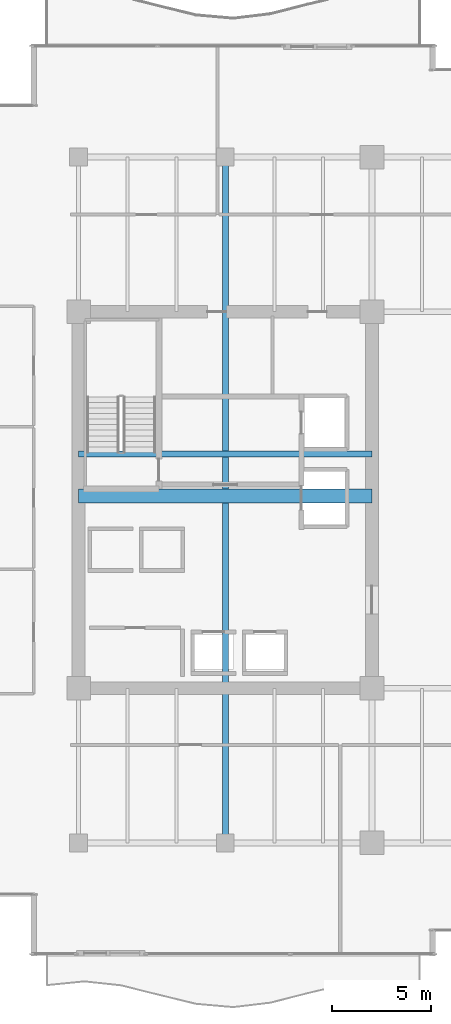
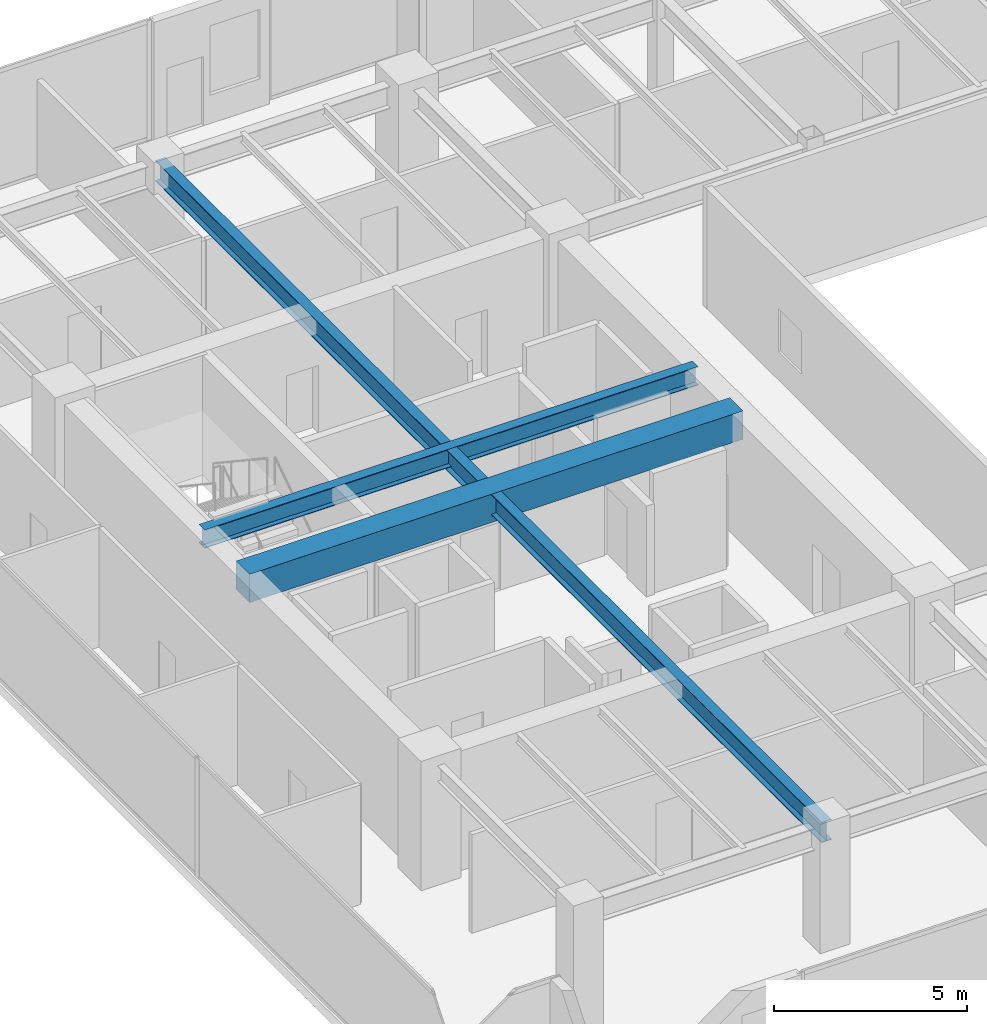
# One storey, part 7 of 30: 3 beams.
"""IFC4 building model written with IfcOpenShell, lengths in metres."""

from ifc_helpers import new_model, si_unit, direction, frame, origin, origin_2d, place, context, subcontext, project, spatial, rectangle, i_section, extrude, source, transform, mapped, material, material_profile, profile_set, type_object, type_shapes, element, save


model = new_model("IFC4")

# Units and contexts
model_context = context("Model", 3, precision=1e-05, world=origin(), true_north=direction((0.0, 1.0)))
body_context = subcontext(model_context, "Body", "Model", "MODEL_VIEW")
ifc_project = project(units=[si_unit("LENGTHUNIT", "METRE"), si_unit("AREAUNIT", "SQUARE_METRE"), si_unit("VOLUMEUNIT", "CUBIC_METRE"), si_unit("PLANEANGLEUNIT", "RADIAN"), si_unit("MASSUNIT", "GRAM", prefix="KILO")], contexts=[model_context])

# Site, building, storey
site_placement = place(None, origin())
site = spatial("IfcSite", under=ifc_project, at=site_placement, CompositionType="ELEMENT")
building_placement = place(site_placement, origin())
building = spatial("IfcBuilding", under=site, at=building_placement, Name="Haelvirn Gate Laboratories", CompositionType="ELEMENT")
storey_placement = place(building_placement, frame((0.0, 0.0, 113.300048828125)))
storey = spatial("IfcBuildingStorey", under=building, at=storey_placement, Name="L27", CompositionType="ELEMENT", Elevation=113.300048828125)

# Beams
ifc_material_1 = material(Name="Concrete C60/75", Category="concrete")
ifc_material_profile_1 = material_profile(ifc_material_1, rectangle(XDim=0.699951171875, YDim=0.89990234375, at=origin_2d()), Name="RCB-700x900")
ifc_profile_set_1 = profile_set([ifc_material_profile_1], Name="Concrete C60/75")
beam_type_1 = type_object("IfcBeamType", Name="BM-RCB-900", PredefinedType="LINTEL", material=ifc_profile_set_1)
shared_shape_1 = source(origin(), body_context, "Body", "SweptSolid", [
    extrude(rectangle(XDim=0.699951171875, YDim=0.89990234375, at=origin_2d()), origin(), (0.0, 0.0, 1.0), 14.800048828125),
])
type_shapes(beam_type_1, [shared_shape_1])
beam_1_placement = place(storey_placement, frame((7.39990234375, 24.5, 3.33984375), z_axis=(1.0, 0.0, 0.0), x_axis=(0.0, 1.0, 0.0)))
element("IfcBeam", 1, at=beam_1_placement, inside=storey, type_object=beam_type_1, Name="L27 West Core Coupling Beam", PredefinedType="LINTEL", context=body_context, shape_type="MappedRepresentation", body=[
    mapped(shared_shape_1, transform((0.0, 0.0, 0.0), scale=1.0)),
])
ifc_material_2 = material(Name="Steel SM355", Category="steel")
ifc_material_profile_2 = material_profile(ifc_material_2, i_section(OverallWidth=0.300048828125, OverallDepth=0.587890625, WebThickness=0.011962890625, FlangeThickness=0.02001953125, at=origin_2d()), Name="H-588x300x12x20")
ifc_profile_set_2 = profile_set([ifc_material_profile_2], Name="Steel SM355")
beam_type_2 = type_object("IfcBeamType", Name="BM-G-588", PredefinedType="BEAM", material=ifc_profile_set_2)
shared_shape_2 = source(origin(), body_context, "Body", "SweptSolid", [
    extrude(i_section(OverallWidth=0.300048828125, OverallDepth=0.587890625, WebThickness=0.011962890625, FlangeThickness=0.02001953125, at=origin_2d()), origin(), (0.0, 0.0, 1.0), 14.800048828125),
])
type_shapes(beam_type_2, [shared_shape_2])
beam_2_placement = place(storey_placement, frame((7.39990234375, 26.6201171875, 3.495849609375), z_axis=(1.0, 0.0, 0.0), x_axis=(0.0, 1.0, 0.0)))
element("IfcBeam", 2, at=beam_2_placement, inside=storey, type_object=beam_type_2, Name="L27 Stair ST1 Landing Header", PredefinedType="BEAM", context=body_context, shape_type="MappedRepresentation", body=[
    mapped(shared_shape_2, transform((0.0, 0.0, 0.0), scale=1.0)),
])
ifc_material_profile_3 = material_profile(ifc_material_2, i_section(OverallWidth=0.300048828125, OverallDepth=0.64990234375, WebThickness=0.012939453125, FlangeThickness=0.02197265625, at=origin_2d()), Name="H-650x300x13x22")
ifc_profile_set_3 = profile_set([ifc_material_profile_3], Name="Steel SM355")
beam_type_3 = type_object("IfcBeamType", Name="BM-G-650", PredefinedType="BEAM", material=ifc_profile_set_3)
shared_shape_3 = source(origin(), body_context, "Body", "SweptSolid", [
    extrude(i_section(OverallWidth=0.300048828125, OverallDepth=0.64990234375, WebThickness=0.012939453125, FlangeThickness=0.02197265625, at=origin_2d()), origin(), (0.0, 0.0, 1.0), 34.60009765625),
])
type_shapes(beam_type_3, [shared_shape_3])
beam_3_placement = place(storey_placement, frame((14.800048828125, 7.0, 3.46484375), z_axis=(0.0, 1.0, 0.0), x_axis=(-1.0, 0.0, 0.0)))
element("IfcBeam", 3, at=beam_3_placement, inside=storey, type_object=beam_type_3, Name="L27 Frame Girder X14.8 (7.0-41.6)", PredefinedType="BEAM", context=body_context, shape_type="MappedRepresentation", body=[
    mapped(shared_shape_3, transform((0.0, 0.0, 0.0), scale=1.0)),
])

save(model, "model.ifc")
